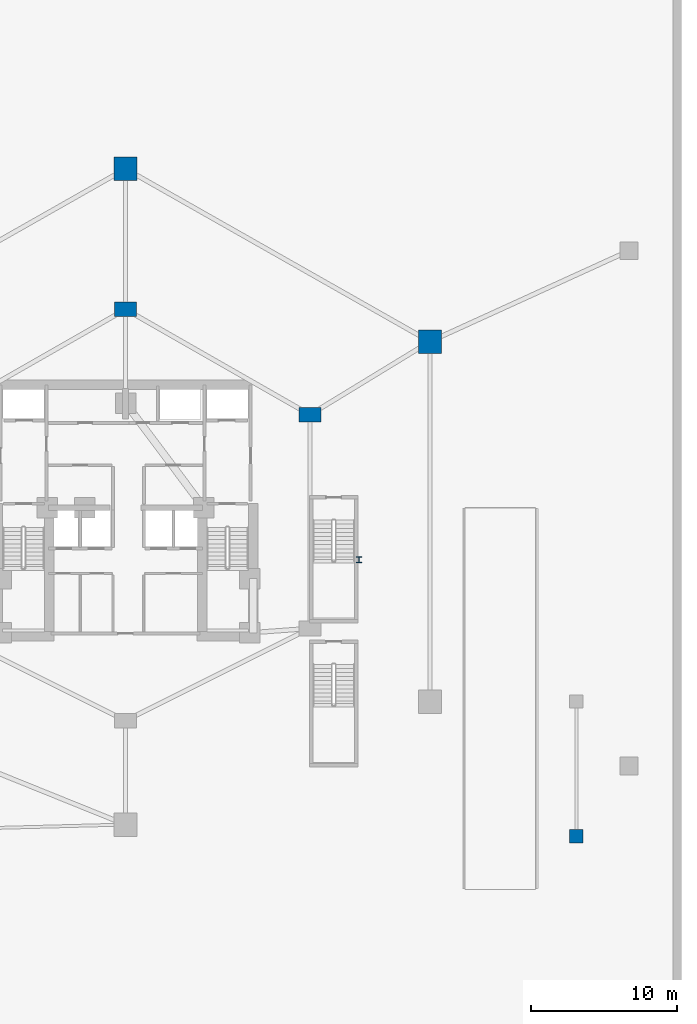
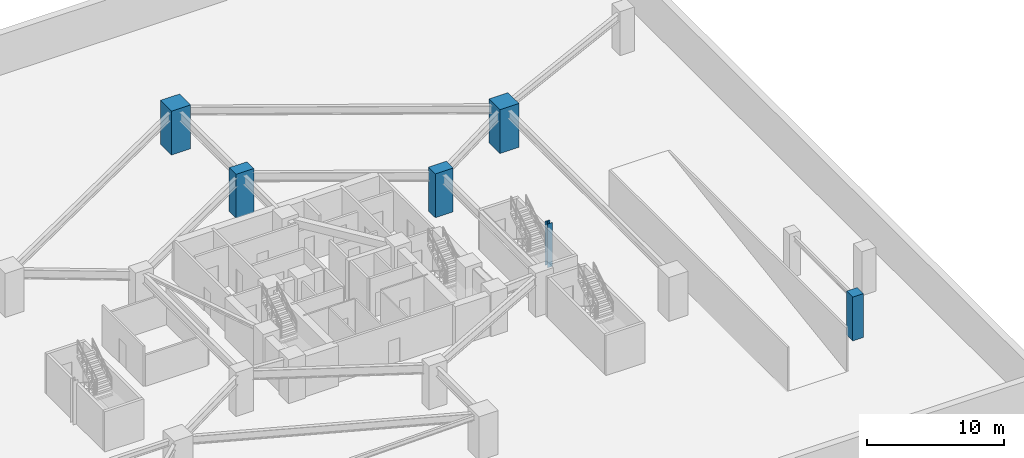
# One storey, part 3 of 12: 6 columns.
"""IFC4 building model written with IfcOpenShell, lengths in metres."""

from ifc_helpers import new_model, si_unit, direction, frame, origin, origin_2d, place, context, subcontext, project, spatial, rectangle, i_section, extrude, material, material_profile, profile_set, type_object, element, save


model = new_model("IFC4")

# Units and contexts
model_context = context("Model", 3, precision=1e-05, world=origin(), true_north=direction((0.0, 1.0)))
body_context = subcontext(model_context, "Body", "Model", "MODEL_VIEW")
ifc_project = project(units=[si_unit("LENGTHUNIT", "METRE"), si_unit("AREAUNIT", "SQUARE_METRE"), si_unit("VOLUMEUNIT", "CUBIC_METRE"), si_unit("PLANEANGLEUNIT", "RADIAN"), si_unit("MASSUNIT", "GRAM", prefix="KILO")], contexts=[model_context])

# Site, building, storey
site_placement = place(None, origin())
site = spatial("IfcSite", under=ifc_project, at=site_placement, CompositionType="ELEMENT")
building_placement = place(site_placement, origin())
building = spatial("IfcBuilding", under=site, at=building_placement, Name="Miruveldt Soraemaru", CompositionType="ELEMENT")
storey_placement = place(building_placement, frame((0.0, 0.0, -11.699951171875)))
storey = spatial("IfcBuildingStorey", under=building, at=storey_placement, Name="B3", CompositionType="ELEMENT", Elevation=-11.699951171875)

# Columns
ifc_material_1 = material(Name="Concrete C50/60 (50 MPa)", Category="concrete")
ifc_material_profile_1 = material_profile(ifc_material_1, rectangle(XDim=0.89990234375, YDim=0.89990234375, at=origin_2d()), Name="Concrete C50/60 (50 MPa)", Category="concrete")
ifc_profile_set_1 = profile_set([ifc_material_profile_1], Name="Concrete C50/60 (50 MPa)")
column_type_1 = type_object("IfcColumnType", Name="COL-CORE-900", PredefinedType="COLUMN", material=ifc_profile_set_1)
column_1_placement = place(storey_placement, frame((74.800048828125, 21.60009765625, 0.0), z_axis=(0.0, 0.0, 1.0), x_axis=(1.0, 0.0, 0.0)))
element("IfcColumn", 1, at=column_1_placement, inside=storey, type_object=column_type_1, Name="B3 Structural Column PF03", PredefinedType="COLUMN", context=body_context, shape_type="SweptSolid", body=[
    extrude(rectangle(XDim=0.89990234375, YDim=0.89990234375, at=origin_2d()), origin(), (0.0, 0.0, 1.0), 3.89990234375),
])
ifc_material_2 = material(Name="Concrete C80/95 (80 MPa)", Category="concrete")
ifc_material_profile_2 = material_profile(ifc_material_2, rectangle(XDim=1.60009765625, YDim=1.60009765625, at=origin_2d()), Name="Concrete C80/95 (80 MPa)", Category="concrete")
ifc_profile_set_2 = profile_set([ifc_material_profile_2], Name="Concrete C80/95 (80 MPa)")
column_type_2 = type_object("IfcColumnType", Name="COL-MEGA-1600", PredefinedType="COLUMN", material=ifc_profile_set_2)
for number, where, z_axis, x_axis, name in (
    (2, (44.0, 67.199951171875, 0.0), (0.0, 0.0, 1.0), (1.0, 0.0, 0.0), "B3 Structural Column PM01"),
    (3, (64.800048828125, 55.39990234375, 0.0), (0.0, 0.0, 1.0), (1.0, 0.0, 0.0), "B3 Structural Column PM02"),
):
    element("IfcColumn", number, at=place(storey_placement, frame(where, z_axis=z_axis, x_axis=x_axis)), inside=storey, type_object=column_type_2, Name=name, PredefinedType="COLUMN", context=body_context, shape_type="SweptSolid", body=[
        extrude(rectangle(XDim=1.60009765625, YDim=1.60009765625, at=origin_2d()), origin(), (0.0, 0.0, 1.0), 3.89990234375),
    ])
ifc_material_3 = material(Name="Steel S460 (460 MPa)", Category="steel")
ifc_material_profile_3 = material_profile(ifc_material_3, i_section(OverallWidth=0.39990234375, OverallDepth=0.39990234375, WebThickness=0.012939453125, FlangeThickness=0.02099609375, FilletRadius=0.02197265625, at=origin_2d()), Name="Steel S460 (460 MPa)", Category="steel")
ifc_profile_set_3 = profile_set([ifc_material_profile_3], Name="Steel S460 (460 MPa)")
column_type_3 = type_object("IfcColumnType", Name="COL-PIL-400", PredefinedType="PILASTER", material=ifc_profile_set_3)
column_2_placement = place(storey_placement, frame((59.949951171875, 40.5, 0.0), z_axis=(0.0, 0.0, 1.0), x_axis=(1.0, 0.0, 0.0)))
element("IfcColumn", 4, at=column_2_placement, inside=storey, type_object=column_type_3, Name="B3 Structural Column PIL2", PredefinedType="PILASTER", context=body_context, shape_type="SweptSolid", body=[
    extrude(i_section(OverallWidth=0.39990234375, OverallDepth=0.39990234375, WebThickness=0.012939453125, FlangeThickness=0.02099609375, FilletRadius=0.02197265625, at=origin_2d()), origin(), (0.0, 0.0, 1.0), 3.89990234375),
])
ifc_material_profile_4 = material_profile(ifc_material_2, rectangle(XDim=1.5, YDim=1.0, at=origin_2d()), Name="Concrete C80/95 (80 MPa)", Category="concrete")
ifc_profile_set_4 = profile_set([ifc_material_profile_4], Name="Concrete C80/95 (80 MPa)")
column_type_4 = type_object("IfcColumnType", Name="COL-TW-Z1A", PredefinedType="COLUMN", material=ifc_profile_set_4)
for number, where, z_axis, x_axis, name in (
    (5, (44.0, 57.60009765625, 0.0), (0.0, 0.0, 1.0), (1.0, 0.0, 0.0), "B3 Structural Column IR01"),
    (6, (56.60009765625, 50.39990234375, 0.0), (0.0, 0.0, 1.0), (1.0, 0.0, 0.0), "B3 Structural Column IR02"),
):
    element("IfcColumn", number, at=place(storey_placement, frame(where, z_axis=z_axis, x_axis=x_axis)), inside=storey, type_object=column_type_4, Name=name, PredefinedType="COLUMN", context=body_context, shape_type="SweptSolid", body=[
        extrude(rectangle(XDim=1.5, YDim=1.0, at=origin_2d()), origin(), (0.0, 0.0, 1.0), 3.89990234375),
    ])

save(model, "model.ifc")
